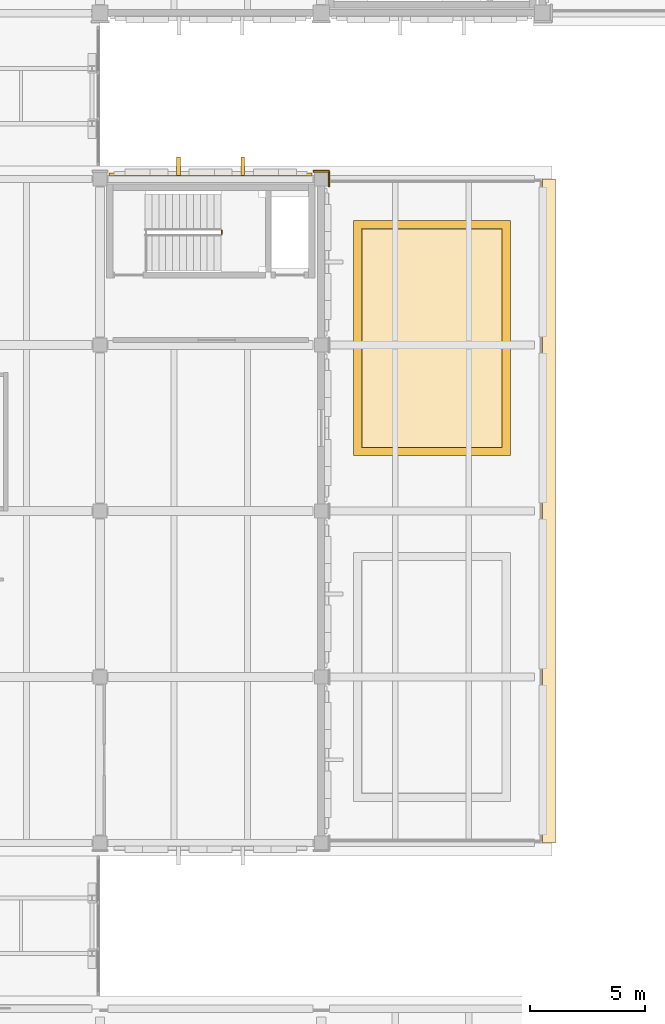
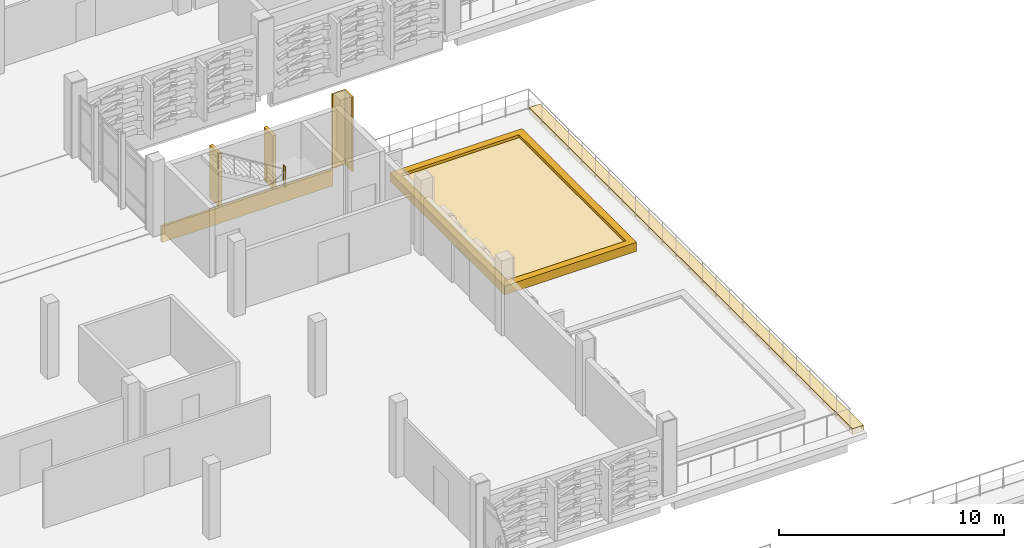
# One storey, part 121 of 134: 8 coverings, 1 railing.
"""IFC4 building model written with IfcOpenShell, lengths in metres."""

from ifc_helpers import new_model, si_unit, direction, frame, origin, origin_2d, place, context, subcontext, project, spatial, polyline, rectangle, circle, outline, extrude, material, layer, layer_set, type_object, element, save


model = new_model("IFC4")

# Units and contexts
model_context = context("Model", 3, precision=1e-05, world=origin(), true_north=direction((0.0, 1.0)))
body_context = subcontext(model_context, "Body", "Model", "MODEL_VIEW")
ifc_project = project(units=[si_unit("LENGTHUNIT", "METRE"), si_unit("AREAUNIT", "SQUARE_METRE"), si_unit("VOLUMEUNIT", "CUBIC_METRE"), si_unit("PLANEANGLEUNIT", "RADIAN"), si_unit("MASSUNIT", "GRAM", prefix="KILO")], contexts=[model_context])

# Site, building, storey
site_placement = place(None, origin())
site = spatial("IfcSite", under=ifc_project, at=site_placement, CompositionType="ELEMENT")
building_placement = place(site_placement, origin())
building = spatial("IfcBuilding", under=site, at=building_placement, Name="Asteropetra Specialist Clinic", CompositionType="ELEMENT")
storey_placement = place(building_placement, frame((0.0, 0.0, 8.5)))
storey = spatial("IfcBuildingStorey", under=building, at=storey_placement, Name="L02", CompositionType="ELEMENT", Elevation=8.5)

# Coverings
ifc_material_1 = material(Name="Chevron ochre deep")
ifc_layer_1 = layer(ifc_material_1, 0.1201171875)
ifc_layer_set_1 = layer_set([ifc_layer_1], Name="Chevron ochre deep")
covering_type_1 = type_object("IfcCoveringType", Name="CLD-OCH-DEEP", PredefinedType="CLADDING", material=ifc_layer_set_1)
covering_1_placement = place(storey_placement, frame((33.60009765625, 62.594970703125, -0.800048828125), z_axis=(0.0, 0.0, 1.0), x_axis=(1.0, 0.0, 0.0)))
element("IfcCovering", 1, at=covering_1_placement, inside=storey, type_object=covering_type_1, Name="Chevron Spandrel Band CV-1850", PredefinedType="CLADDING", context=body_context, shape_type="SweptSolid", body=[
    extrude(rectangle(XDim=8.800048828125, YDim=0.1201171875, at=origin_2d()), origin(), (0.0, 0.0, 1.0), 0.8798828125),
])
ifc_material_2 = material(Name="Pentelic marble ashlar", Category="masonry")
ifc_layer_2 = layer(ifc_material_2, 0.159912109375)
ifc_layer_set_2 = layer_set([ifc_layer_2], Name="Pentelic marble ashlar")
covering_type_2 = type_object("IfcCoveringType", Name="CRN-ENTAB-600", PredefinedType="MOLDING", material=ifc_layer_set_2)
covering_2_placement = place(storey_placement, frame((38.39990234375, 62.73193359375, 0.02001953125), z_axis=(0.0, 0.0, 1.0), x_axis=(1.0, 0.0, 0.0)))
element("IfcCovering", 2, at=covering_2_placement, inside=storey, type_object=covering_type_2, Name="Neoclassical Pilaster Facing CM-0895", PredefinedType="MOLDING", context=body_context, shape_type="SweptSolid", body=[
    extrude(rectangle(XDim=0.679931640625, YDim=0.080078125, at=origin_2d()), origin(), (0.0, 0.0, 1.0), 4.0400390625),
])
covering_3_placement = place(storey_placement, frame((38.73193359375, 62.39990234375, 0.02001953125), z_axis=(0.0, 0.0, 1.0), x_axis=(1.0, 0.0, 0.0)))
element("IfcCovering", 3, at=covering_3_placement, inside=storey, type_object=covering_type_2, Name="Neoclassical Pilaster Facing CM-0896", PredefinedType="MOLDING", context=body_context, shape_type="SweptSolid", body=[
    extrude(rectangle(XDim=0.080078125, YDim=0.679931640625, at=origin_2d()), origin(), (0.0, 0.0, 1.0), 4.0400390625),
])
covering_4_placement = place(storey_placement, frame((48.280029296875, 48.0, -0.2802734375), z_axis=(0.0, 0.0, 1.0), x_axis=(1.0, 0.0, 0.0)))
element("IfcCovering", 4, at=covering_4_placement, inside=storey, type_object=covering_type_2, Name="Classical Entablature Cornice EC-008", PredefinedType="MOLDING", context=body_context, shape_type="SweptSolid", body=[
    extrude(rectangle(XDim=0.56005859375, YDim=28.800048828125, at=origin_2d()), origin(), (0.0, 0.0, 1.0), 0.320068359375),
])
covering_5_placement = place(storey_placement, origin())
element("IfcCovering", 5, at=covering_5_placement, inside=storey, type_object=covering_type_2, Name="Planted Terrace Planter Curb PTB-V5-02C", PredefinedType="MOLDING", context=body_context, shape_type="SweptSolid", body=[
    extrude(outline(polyline([(39.800048828125, 50.39990234375), (46.60009765625, 50.39990234375), (46.60009765625, 60.60009765625), (39.800048828125, 60.60009765625), (39.800048828125, 50.39990234375)]), holes=[polyline([(40.14990234375, 50.75), (46.25, 50.75), (46.25, 60.25), (40.14990234375, 60.25), (40.14990234375, 50.75)])]), origin(), (0.0, 0.0, 1.0), 0.47998046875),
])
ifc_material_3 = material(Name="Pentelic marble solar fin", Category="masonry")
ifc_layer_3 = layer(ifc_material_3, 0.080078125)
ifc_layer_set_3 = layer_set([ifc_layer_3], Name="Pentelic marble solar fin")
covering_type_3 = type_object("IfcCoveringType", Name="FIN-SOLAR-800", PredefinedType="MOLDING", material=ifc_layer_set_3)
for number, where, z_axis, x_axis, name in (
    (6, (34.993408203125, 62.949951171875, 0.070068359375), (0.0, 0.0, 1.0), (1.0, 0.0, 0.0), "Solar Shading Fin FN-0130"),
    (7, (32.206787109375, 62.949951171875, 0.070068359375), (0.0, 0.0, 1.0), (1.0, 0.0, 0.0), "Solar Shading Fin FN-0131"),
):
    element("IfcCovering", number, at=place(storey_placement, frame(where, z_axis=z_axis, x_axis=x_axis)), inside=storey, type_object=covering_type_3, Name=name, PredefinedType="MOLDING", context=body_context, shape_type="SweptSolid", body=[
        extrude(rectangle(XDim=0.159912109375, YDim=0.800048828125, at=origin_2d()), origin(), (0.0, 0.0, 1.0), 2.919921875),
    ])

# Railing
ifc_material_4 = material(Name="Steel S355 and laminated glass guard", Category="steel")
railing_type = type_object("IfcRailingType", Name="GRD-INT-1120", PredefinedType="GUARDRAIL", material=ifc_material_4)
railing_placement = place(storey_placement, frame((34.080078125, 60.02001953125, 2.0400390625)))
element("IfcRailing", 8, at=railing_placement, inside=storey, type_object=railing_type, Name="Landing Slot Guard ST05-L02", PredefinedType="GUARDRAIL", context=body_context, shape_type="SweptSolid", body=[
    extrude(circle(Radius=0.02392578125, at=origin_2d()), frame((0.0, 0.0, 1.09619140625), z_axis=(0.0, 1.0, 0.0), x_axis=(-1.0, 0.0, 0.0)), (0.0, 0.0, 1.0), 0.139892578125),
    extrude(circle(Radius=0.02099609375, at=origin_2d()), origin(), (0.0, 0.0, 1.0), 1.072021484375),
    extrude(circle(Radius=0.02099609375, at=origin_2d()), frame((0.0, 0.139892578125, 0.0)), (0.0, 0.0, 1.0), 1.072021484375),
])

# Covering
ifc_material_5 = material(Name="Planted roof growing medium")
ifc_layer_4 = layer(ifc_material_5, 0.080078125)
ifc_layer_set_4 = layer_set([ifc_layer_4], Name="Planted roof growing medium")
covering_type_4 = type_object("IfcCoveringType", Name="RFG-GREEN-V2", PredefinedType="ROOFING", material=ifc_layer_set_4)
covering_6_placement = place(storey_placement, origin())
element("IfcCovering", 9, at=covering_6_placement, inside=storey, type_object=covering_type_4, Name="Planted Terrace Greenery Bed PTB-V5-02G", PredefinedType="ROOFING", context=body_context, shape_type="SweptSolid", body=[
    extrude(outline(polyline([(40.159912109375, 50.760009765625), (46.239990234375, 50.760009765625), (46.239990234375, 60.239990234375), (40.159912109375, 60.239990234375), (40.159912109375, 50.760009765625)])), origin(), (0.0, 0.0, 1.0), 0.340087890625),
])

save(model, "model.ifc")
